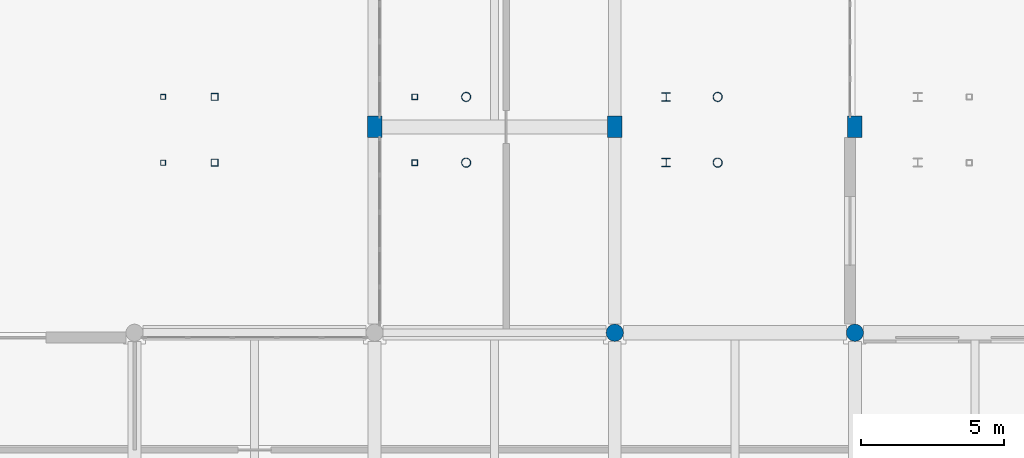
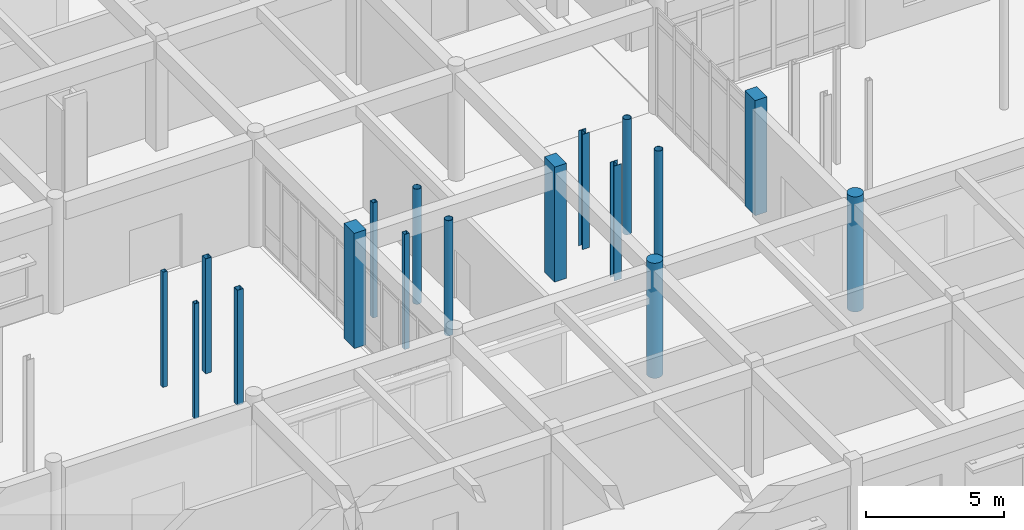
# One storey, part 6 of 121: 17 columns.
"""IFC4 building model written with IfcOpenShell, lengths in metres."""

from ifc_helpers import new_model, si_unit, direction, frame, origin, origin_2d, place, context, subcontext, project, spatial, rectangle, hollow_rectangle, circle, hollow_circle, i_section, extrude, material, material_profile, profile_set, type_object, element, save


model = new_model("IFC4")

# Units and contexts
model_context = context("Model", 3, precision=1e-05, world=origin(), true_north=direction((0.0, 1.0)))
body_context = subcontext(model_context, "Body", "Model", "MODEL_VIEW")
ifc_project = project(units=[si_unit("LENGTHUNIT", "METRE"), si_unit("AREAUNIT", "SQUARE_METRE"), si_unit("VOLUMEUNIT", "CUBIC_METRE"), si_unit("PLANEANGLEUNIT", "RADIAN"), si_unit("MASSUNIT", "GRAM", prefix="KILO")], contexts=[model_context])

# Site, building, storey
site_placement = place(None, origin())
site = spatial("IfcSite", under=ifc_project, at=site_placement, CompositionType="ELEMENT")
building_placement = place(site_placement, origin())
building = spatial("IfcBuilding", under=site, at=building_placement, Name="Malvenik Polytechnic", CompositionType="ELEMENT")
storey_placement = place(building_placement, origin())
storey = spatial("IfcBuildingStorey", under=building, at=storey_placement, Name="L00", CompositionType="ELEMENT", Elevation=0.0)

# Columns
ifc_material_1 = material(Name="Concrete C35/45", Category="concrete")
ifc_material_profile_1 = material_profile(ifc_material_1, rectangle(XDim=0.5, YDim=0.75, at=origin_2d()), Name="RC COL 750x500")
ifc_profile_set_1 = profile_set([ifc_material_profile_1], Name="Concrete C35/45")
column_type_1 = type_object("IfcColumnType", Name="STR-COL-C-14", PredefinedType="COLUMN", material=ifc_profile_set_1)
for number, where, z_axis, x_axis, name in (
    (1, (75.60009765625, 43.199951171875, 0.0), (0.0, 0.0, 1.0), (1.0, 0.0, 0.0), "Column C-14 L00 (75.6,43.2)"),
    (2, (84.0, 43.199951171875, 0.0), (0.0, 0.0, 1.0), (1.0, 0.0, 0.0), "Column C-14 L00 (84.0,43.2)"),
    (3, (92.39990234375, 43.199951171875, 0.0), (0.0, 0.0, 1.0), (1.0, 0.0, 0.0), "Column C-14 L00 (92.4,43.2)"),
):
    element("IfcColumn", number, at=place(storey_placement, frame(where, z_axis=z_axis, x_axis=x_axis)), inside=storey, type_object=column_type_1, Name=name, PredefinedType="COLUMN", context=body_context, shape_type="SweptSolid", body=[
        extrude(rectangle(XDim=0.5, YDim=0.75, at=origin_2d()), origin(), (0.0, 0.0, 1.0), 5.10009765625),
    ])
ifc_material_profile_2 = material_profile(ifc_material_1, circle(Radius=0.300048828125, at=origin_2d()), Name="RC COL D600")
ifc_profile_set_2 = profile_set([ifc_material_profile_2], Name="Concrete C35/45")
column_type_2 = type_object("IfcColumnType", Name="STR-COL-C-18", PredefinedType="COLUMN", material=ifc_profile_set_2)
for number, where, z_axis, x_axis, name in (
    (4, (84.0, 36.0, 0.0), (0.0, 0.0, 1.0), (1.0, 0.0, 0.0), "Column C-18 L00 (84.0,36.0)"),
    (5, (92.39990234375, 36.0, 0.0), (0.0, 0.0, 1.0), (1.0, 0.0, 0.0), "Column C-18 L00 (92.4,36.0)"),
):
    element("IfcColumn", number, at=place(storey_placement, frame(where, z_axis=z_axis, x_axis=x_axis)), inside=storey, type_object=column_type_2, Name=name, PredefinedType="COLUMN", context=body_context, shape_type="SweptSolid", body=[
        extrude(circle(Radius=0.300048828125, at=origin_2d()), origin(), (0.0, 0.0, 1.0), 5.10009765625),
    ])
ifc_material_2 = material(Name="Steel S355J2H", Category="steel")
ifc_material_profile_3 = material_profile(ifc_material_2, hollow_rectangle(XDim=0.25, YDim=0.25, WallThickness=0.010009765625, at=origin_2d()), Name="SHS 250x250x10.0")
ifc_profile_set_3 = profile_set([ifc_material_profile_3], Name="Steel S355J2H")
column_type_3 = type_object("IfcColumnType", Name="STR-SCOL-SC-01", PredefinedType="COLUMN", material=ifc_profile_set_3)
for number, where, z_axis, x_axis, name in (
    (6, (70.0, 41.949951171875, 0.0), (0.0, 0.0, 1.0), (1.0, 0.0, 0.0), "Bridge-Ramp Support Column SC-01 L00"),
    (7, (70.0, 44.25, 0.0), (0.0, 0.0, 1.0), (1.0, 0.0, 0.0), "Bridge-Ramp Support Column SC-01 L00"),
):
    element("IfcColumn", number, at=place(storey_placement, frame(where, z_axis=z_axis, x_axis=x_axis)), inside=storey, type_object=column_type_3, Name=name, PredefinedType="COLUMN", context=body_context, shape_type="SweptSolid", body=[
        extrude(hollow_rectangle(XDim=0.25, YDim=0.25, WallThickness=0.010009765625, at=origin_2d()), origin(), (0.0, 0.0, 1.0), 5.10009765625),
    ])
ifc_material_profile_4 = material_profile(ifc_material_2, hollow_rectangle(XDim=0.199951171875, YDim=0.199951171875, WallThickness=0.010009765625, at=origin_2d()), Name="SHS 200x200x10.0")
ifc_profile_set_4 = profile_set([ifc_material_profile_4], Name="Steel S355J2H")
column_type_4 = type_object("IfcColumnType", Name="STR-SCOL-SC-02", PredefinedType="COLUMN", material=ifc_profile_set_4)
for number, where, z_axis, x_axis, name in (
    (8, (77.0, 41.949951171875, 0.0), (0.0, 0.0, 1.0), (1.0, 0.0, 0.0), "Bridge-Ramp Support Column SC-02 L00"),
    (9, (77.0, 44.25, 0.0), (0.0, 0.0, 1.0), (1.0, 0.0, 0.0), "Bridge-Ramp Support Column SC-02 L00"),
):
    element("IfcColumn", number, at=place(storey_placement, frame(where, z_axis=z_axis, x_axis=x_axis)), inside=storey, type_object=column_type_4, Name=name, PredefinedType="COLUMN", context=body_context, shape_type="SweptSolid", body=[
        extrude(hollow_rectangle(XDim=0.199951171875, YDim=0.199951171875, WallThickness=0.010009765625, at=origin_2d()), origin(), (0.0, 0.0, 1.0), 5.10009765625),
    ])
ifc_material_profile_5 = material_profile(ifc_material_2, hollow_circle(Radius=0.161865234375, WallThickness=0.012451171875, at=origin_2d()), Name="CHS 323.9x12.5")
ifc_profile_set_5 = profile_set([ifc_material_profile_5], Name="Steel S355J2H")
column_type_5 = type_object("IfcColumnType", Name="STR-SCOL-SC-04", PredefinedType="COLUMN", material=ifc_profile_set_5)
for number, where, z_axis, x_axis, name in (
    (10, (78.800048828125, 41.949951171875, 0.0), (0.0, 0.0, 1.0), (1.0, 0.0, 0.0), "Bridge-Ramp Support Column SC-04 L00"),
    (11, (78.800048828125, 44.25, 0.0), (0.0, 0.0, 1.0), (1.0, 0.0, 0.0), "Bridge-Ramp Support Column SC-04 L00"),
    (12, (87.60009765625, 41.949951171875, 0.0), (0.0, 0.0, 1.0), (1.0, 0.0, 0.0), "Bridge-Ramp Support Column SC-04 L00"),
    (13, (87.60009765625, 44.25, 0.0), (0.0, 0.0, 1.0), (1.0, 0.0, 0.0), "Bridge-Ramp Support Column SC-04 L00"),
):
    element("IfcColumn", number, at=place(storey_placement, frame(where, z_axis=z_axis, x_axis=x_axis)), inside=storey, type_object=column_type_5, Name=name, PredefinedType="COLUMN", context=body_context, shape_type="SweptSolid", body=[
        extrude(hollow_circle(Radius=0.161865234375, WallThickness=0.012451171875, at=origin_2d()), origin(), (0.0, 0.0, 1.0), 5.10009765625),
    ])
ifc_material_3 = material(Name="Steel S355", Category="steel")
ifc_material_profile_6 = material_profile(ifc_material_3, i_section(OverallWidth=0.300048828125, OverallDepth=0.300048828125, WebThickness=0.010986328125, FlangeThickness=0.01904296875, FilletRadius=0.027099609375, at=origin_2d()), Name="HEB 300")
ifc_profile_set_6 = profile_set([ifc_material_profile_6], Name="Steel S355")
column_type_6 = type_object("IfcColumnType", Name="STR-SCOL-SC-05", PredefinedType="COLUMN", material=ifc_profile_set_6)
for number, where, z_axis, x_axis, name in (
    (14, (85.800048828125, 41.949951171875, 0.0), (0.0, 0.0, 1.0), (1.0, 0.0, 0.0), "Bridge-Ramp Support Column SC-05 L00"),
    (15, (85.800048828125, 44.25, 0.0), (0.0, 0.0, 1.0), (1.0, 0.0, 0.0), "Bridge-Ramp Support Column SC-05 L00"),
):
    element("IfcColumn", number, at=place(storey_placement, frame(where, z_axis=z_axis, x_axis=x_axis)), inside=storey, type_object=column_type_6, Name=name, PredefinedType="COLUMN", context=body_context, shape_type="SweptSolid", body=[
        extrude(i_section(OverallWidth=0.300048828125, OverallDepth=0.300048828125, WebThickness=0.010986328125, FlangeThickness=0.01904296875, FilletRadius=0.027099609375, at=origin_2d()), origin(), (0.0, 0.0, 1.0), 5.10009765625),
    ])
ifc_material_profile_7 = material_profile(ifc_material_2, hollow_rectangle(XDim=0.179931640625, YDim=0.179931640625, WallThickness=0.008056640625, at=origin_2d()), Name="SHS 180x180x8.0")
ifc_profile_set_7 = profile_set([ifc_material_profile_7], Name="Steel S355J2H")
column_type_7 = type_object("IfcColumnType", Name="STR-SCOL-SC-06", PredefinedType="COLUMN", material=ifc_profile_set_7)
for number, where, z_axis, x_axis, name in (
    (16, (68.199951171875, 41.949951171875, 0.0), (0.0, 0.0, 1.0), (1.0, 0.0, 0.0), "Bridge-Ramp Support Column SC-06 L00"),
    (17, (68.199951171875, 44.25, 0.0), (0.0, 0.0, 1.0), (1.0, 0.0, 0.0), "Bridge-Ramp Support Column SC-06 L00"),
):
    element("IfcColumn", number, at=place(storey_placement, frame(where, z_axis=z_axis, x_axis=x_axis)), inside=storey, type_object=column_type_7, Name=name, PredefinedType="COLUMN", context=body_context, shape_type="SweptSolid", body=[
        extrude(hollow_rectangle(XDim=0.179931640625, YDim=0.179931640625, WallThickness=0.008056640625, at=origin_2d()), origin(), (0.0, 0.0, 1.0), 5.10009765625),
    ])

save(model, "model.ifc")
